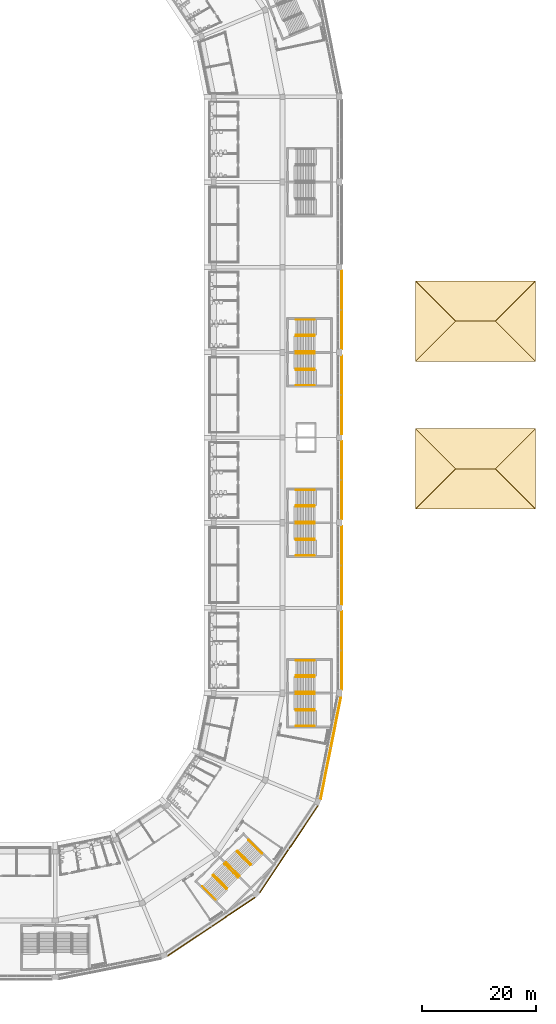
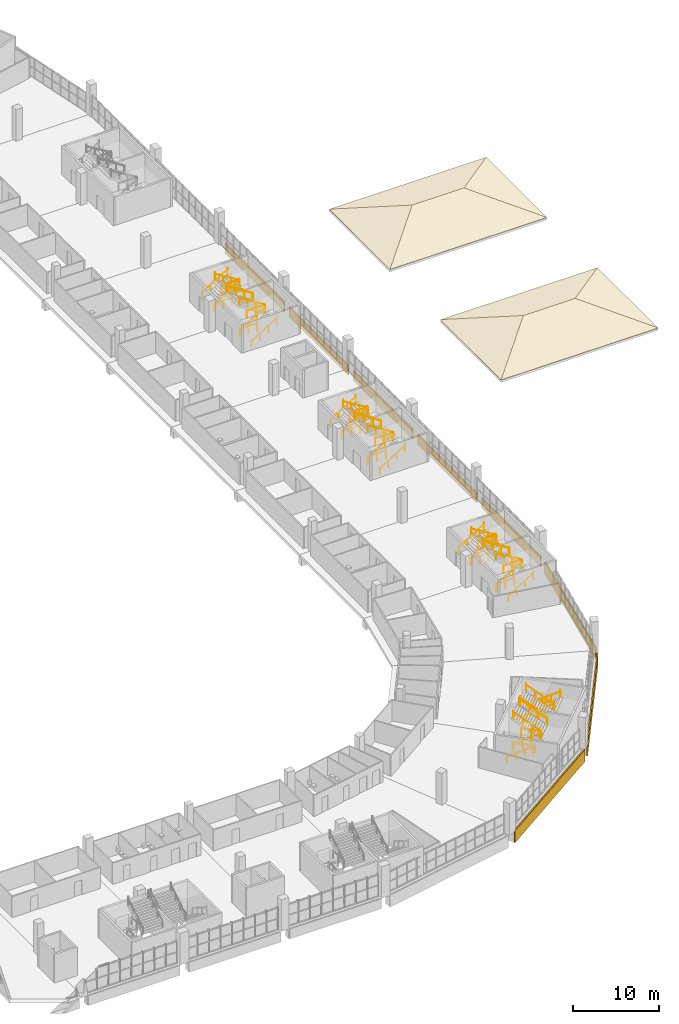
# One storey, part 189 of 199: 48 railings, 16 coverings.
"""IFC4 building model written with IfcOpenShell, lengths in metres."""

from ifc_helpers import new_model, si_unit, direction, frame, origin, origin_2d, place, context, subcontext, project, spatial, polyline, circle, outline, extrude, material, layer, layer_set, type_object, element, save


model = new_model("IFC4")

# Units and contexts
model_context = context("Model", 3, precision=1e-05, world=origin(), true_north=direction((0.0, 1.0)))
body_context = subcontext(model_context, "Body", "Model", "MODEL_VIEW")
ifc_project = project(units=[si_unit("LENGTHUNIT", "METRE"), si_unit("AREAUNIT", "SQUARE_METRE"), si_unit("VOLUMEUNIT", "CUBIC_METRE"), si_unit("PLANEANGLEUNIT", "RADIAN"), si_unit("MASSUNIT", "GRAM", prefix="KILO")], contexts=[model_context])

# Site, building, storey
site_placement = place(None, origin())
site = spatial("IfcSite", under=ifc_project, at=site_placement, CompositionType="ELEMENT")
building_placement = place(site_placement, origin())
building = spatial("IfcBuilding", under=site, at=building_placement, Name="Ogive Plaza Stadium", CompositionType="ELEMENT")
storey_placement = place(building_placement, frame((0.0, 0.0, 4.5)))
storey = spatial("IfcBuildingStorey", under=building, at=storey_placement, Name="L01", CompositionType="ELEMENT", Elevation=4.5)

# Railings
ifc_material_1 = material(Name="Steel ASTM A572 Grade 50", Category="steel")
railing_type_1 = type_object("IfcRailingType", Name="Guard 1100", PredefinedType="GUARDRAIL", material=ifc_material_1)
for number, where, name in (
    (1, (76.35009765625, 4.52490234375, 0.0), "Stair well guard ST04A L01"),
    (2, (77.31005859375, 4.52490234375, 2.25), "Stair well guard ST04A L01"),
    (3, (76.35009765625, 10.47509765625, 0.0), "Stair well guard ST04B L01"),
    (4, (77.31005859375, 10.47509765625, 2.25), "Stair well guard ST04B L01"),
    (5, (76.35009765625, -25.47509765625, 0.0), "Stair well guard ST06A L01"),
    (6, (77.31005859375, -25.47509765625, 2.25), "Stair well guard ST06A L01"),
    (7, (76.35009765625, -19.52490234375, 0.0), "Stair well guard ST06B L01"),
    (8, (77.31005859375, -19.52490234375, 2.25), "Stair well guard ST06B L01"),
    (9, (76.35009765625, -55.47509765625, 0.0), "Stair well guard ST08A L01"),
    (10, (77.31005859375, -55.47509765625, 2.25), "Stair well guard ST08A L01"),
    (11, (76.35009765625, -49.52490234375, 0.0), "Stair well guard ST08B L01"),
    (12, (77.31005859375, -49.52490234375, 2.25), "Stair well guard ST08B L01"),
):
    element("IfcRailing", number, at=place(storey_placement, frame(where)), inside=storey, type_object=railing_type_1, Name=name, PredefinedType="GUARDRAIL", context=body_context, shape_type="SweptSolid", body=[
        extrude(circle(Radius=0.02392578125, at=origin_2d()), frame((0.0, 0.0, 1.076171875), z_axis=(1.0, 0.0, 0.0), x_axis=(0.0, 1.0, 0.0)), (0.0, 0.0, 1.0), 2.39990234375),
        extrude(circle(Radius=0.02099609375, at=origin_2d()), origin(), (0.0, 0.0, 1.0), 1.052001953125),
        extrude(circle(Radius=0.02099609375, at=origin_2d()), frame((1.199951171875, 0.0, 0.0)), (0.0, 0.0, 1.0), 1.052001953125),
        extrude(circle(Radius=0.02099609375, at=origin_2d()), frame((2.39990234375, 0.0, 0.0)), (0.0, 0.0, 1.0), 1.052001953125),
    ])
for number, where, name in (
    (13, (61.84228515625, -84.549560546875, 0.0), "Stair well guard ST10A L01"),
    (14, (62.521240234375, -85.228515625, 2.25), "Stair well guard ST10A L01"),
    (15, (66.049560546875, -80.34228515625, 0.0), "Stair well guard ST10B L01"),
    (16, (66.728515625, -81.021240234375, 2.25), "Stair well guard ST10B L01"),
):
    element("IfcRailing", number, at=place(storey_placement, frame(where)), inside=storey, type_object=railing_type_1, Name=name, PredefinedType="GUARDRAIL", context=body_context, shape_type="SweptSolid", body=[
        extrude(circle(Radius=0.02392578125, at=origin_2d()), frame((0.0, 0.0, 1.076171875), z_axis=(0.707106781187, -0.707106781187, 0.0), x_axis=(0.707106781187, 0.707106781187, 0.0)), (0.0, 0.0, 1.0), 2.39990234375),
        extrude(circle(Radius=0.02099609375, at=origin_2d()), origin(), (0.0, 0.0, 1.0), 1.052001953125),
        extrude(circle(Radius=0.02099609375, at=origin_2d()), frame((0.8486328125, -0.8486328125, 0.0)), (0.0, 0.0, 1.0), 1.052001953125),
        extrude(circle(Radius=0.02099609375, at=origin_2d()), frame((1.697021484375, -1.697021484375, 0.0)), (0.0, 0.0, 1.0), 1.052001953125),
    ])
ifc_material_2 = material(Name="Steel ASTM A572 Grade 50", Category="steel")
railing_type_2 = type_object("IfcRailingType", Name="Handrail 900", PredefinedType="HANDRAIL", material=ifc_material_2)
for number, where, name in (
    (17, (76.35009765625, 1.735107421875, 0.173095703125), "Handrail ST04A L01"),
    (18, (76.35009765625, 4.4150390625, 0.173095703125), "Handrail ST04A L01"),
):
    element("IfcRailing", number, at=place(storey_placement, frame(where)), inside=storey, type_object=railing_type_2, Name=name, PredefinedType="HANDRAIL", context=body_context, shape_type="SweptSolid", body=[
        extrude(circle(Radius=0.02392578125, at=origin_2d()), frame((0.0, 0.0, 0.8759765625), z_axis=(0.850606129759, 0.0, 0.525803396734), x_axis=(0.0, 1.0, 0.0)), (0.0, 0.0, 1.0), 3.949951171875),
        extrude(circle(Radius=0.02099609375, at=origin_2d()), origin(), (0.0, 0.0, 1.0), 0.851806640625),
        extrude(circle(Radius=0.02099609375, at=origin_2d()), frame((1.119873046875, 0.0, 0.6923828125)), (0.0, 0.0, 1.0), 0.851806640625),
        extrude(circle(Radius=0.02099609375, at=origin_2d()), frame((2.239990234375, 0.0, 1.384521484375)), (0.0, 0.0, 1.0), 0.851806640625),
        extrude(circle(Radius=0.02099609375, at=origin_2d()), frame((3.35986328125, 0.0, 2.076904296875)), (0.0, 0.0, 1.0), 1.10009765625),
    ])
for number, where, name in (
    (19, (79.7099609375, 4.635009765625, 2.423095703125), "Handrail ST04A L01"),
    (20, (79.7099609375, 7.31494140625, 2.423095703125), "Handrail ST04A L01"),
):
    element("IfcRailing", number, at=place(storey_placement, frame(where)), inside=storey, type_object=railing_type_2, Name=name, PredefinedType="HANDRAIL", context=body_context, shape_type="SweptSolid", body=[
        extrude(circle(Radius=0.02392578125, at=origin_2d()), frame((0.0, 0.0, 0.8759765625), z_axis=(-0.850606129759, 0.0, 0.525803396734), x_axis=(0.0, -1.0, 0.0)), (0.0, 0.0, 1.0), 3.949951171875),
        extrude(circle(Radius=0.02099609375, at=origin_2d()), origin(), (0.0, 0.0, 1.0), 0.851806640625),
        extrude(circle(Radius=0.02099609375, at=origin_2d()), frame((-1.119873046875, 0.0, 0.6923828125)), (0.0, 0.0, 1.0), 0.851806640625),
        extrude(circle(Radius=0.02099609375, at=origin_2d()), frame((-2.239990234375, 0.0, 1.384521484375)), (0.0, 0.0, 1.0), 0.851806640625),
        extrude(circle(Radius=0.02099609375, at=origin_2d()), frame((-3.35986328125, 0.0, 2.076904296875)), (0.0, 0.0, 1.0), 1.10009765625),
    ])
for number, where, name in (
    (21, (76.35009765625, 10.5849609375, 0.173095703125), "Handrail ST04B L01"),
    (22, (76.35009765625, 13.264892578125, 0.173095703125), "Handrail ST04B L01"),
):
    element("IfcRailing", number, at=place(storey_placement, frame(where)), inside=storey, type_object=railing_type_2, Name=name, PredefinedType="HANDRAIL", context=body_context, shape_type="SweptSolid", body=[
        extrude(circle(Radius=0.02392578125, at=origin_2d()), frame((0.0, 0.0, 0.8759765625), z_axis=(0.850606129759, 0.0, 0.525803396734), x_axis=(0.0, 1.0, 0.0)), (0.0, 0.0, 1.0), 3.949951171875),
        extrude(circle(Radius=0.02099609375, at=origin_2d()), origin(), (0.0, 0.0, 1.0), 0.851806640625),
        extrude(circle(Radius=0.02099609375, at=origin_2d()), frame((1.119873046875, 0.0, 0.6923828125)), (0.0, 0.0, 1.0), 0.851806640625),
        extrude(circle(Radius=0.02099609375, at=origin_2d()), frame((2.239990234375, 0.0, 1.384521484375)), (0.0, 0.0, 1.0), 0.851806640625),
        extrude(circle(Radius=0.02099609375, at=origin_2d()), frame((3.35986328125, 0.0, 2.076904296875)), (0.0, 0.0, 1.0), 1.10009765625),
    ])
for number, where, name in (
    (23, (79.7099609375, 7.68505859375, 2.423095703125), "Handrail ST04B L01"),
    (24, (79.7099609375, 10.364990234375, 2.423095703125), "Handrail ST04B L01"),
):
    element("IfcRailing", number, at=place(storey_placement, frame(where)), inside=storey, type_object=railing_type_2, Name=name, PredefinedType="HANDRAIL", context=body_context, shape_type="SweptSolid", body=[
        extrude(circle(Radius=0.02392578125, at=origin_2d()), frame((0.0, 0.0, 0.8759765625), z_axis=(-0.850606129759, 0.0, 0.525803396734), x_axis=(0.0, -1.0, 0.0)), (0.0, 0.0, 1.0), 3.949951171875),
        extrude(circle(Radius=0.02099609375, at=origin_2d()), origin(), (0.0, 0.0, 1.0), 0.851806640625),
        extrude(circle(Radius=0.02099609375, at=origin_2d()), frame((-1.119873046875, 0.0, 0.6923828125)), (0.0, 0.0, 1.0), 0.851806640625),
        extrude(circle(Radius=0.02099609375, at=origin_2d()), frame((-2.239990234375, 0.0, 1.384521484375)), (0.0, 0.0, 1.0), 0.851806640625),
        extrude(circle(Radius=0.02099609375, at=origin_2d()), frame((-3.35986328125, 0.0, 2.076904296875)), (0.0, 0.0, 1.0), 1.10009765625),
    ])
for number, where, name in (
    (25, (76.35009765625, -28.264892578125, 0.173095703125), "Handrail ST06A L01"),
    (26, (76.35009765625, -25.5849609375, 0.173095703125), "Handrail ST06A L01"),
):
    element("IfcRailing", number, at=place(storey_placement, frame(where)), inside=storey, type_object=railing_type_2, Name=name, PredefinedType="HANDRAIL", context=body_context, shape_type="SweptSolid", body=[
        extrude(circle(Radius=0.02392578125, at=origin_2d()), frame((0.0, 0.0, 0.8759765625), z_axis=(0.850606129759, 0.0, 0.525803396734), x_axis=(0.0, 1.0, 0.0)), (0.0, 0.0, 1.0), 3.949951171875),
        extrude(circle(Radius=0.02099609375, at=origin_2d()), origin(), (0.0, 0.0, 1.0), 0.851806640625),
        extrude(circle(Radius=0.02099609375, at=origin_2d()), frame((1.119873046875, 0.0, 0.6923828125)), (0.0, 0.0, 1.0), 0.851806640625),
        extrude(circle(Radius=0.02099609375, at=origin_2d()), frame((2.239990234375, 0.0, 1.384521484375)), (0.0, 0.0, 1.0), 0.851806640625),
        extrude(circle(Radius=0.02099609375, at=origin_2d()), frame((3.35986328125, 0.0, 2.076904296875)), (0.0, 0.0, 1.0), 1.10009765625),
    ])
for number, where, name in (
    (27, (79.7099609375, -25.364990234375, 2.423095703125), "Handrail ST06A L01"),
    (28, (79.7099609375, -22.68505859375, 2.423095703125), "Handrail ST06A L01"),
):
    element("IfcRailing", number, at=place(storey_placement, frame(where)), inside=storey, type_object=railing_type_2, Name=name, PredefinedType="HANDRAIL", context=body_context, shape_type="SweptSolid", body=[
        extrude(circle(Radius=0.02392578125, at=origin_2d()), frame((0.0, 0.0, 0.8759765625), z_axis=(-0.850606129759, 0.0, 0.525803396734), x_axis=(0.0, -1.0, 0.0)), (0.0, 0.0, 1.0), 3.949951171875),
        extrude(circle(Radius=0.02099609375, at=origin_2d()), origin(), (0.0, 0.0, 1.0), 0.851806640625),
        extrude(circle(Radius=0.02099609375, at=origin_2d()), frame((-1.119873046875, 0.0, 0.6923828125)), (0.0, 0.0, 1.0), 0.851806640625),
        extrude(circle(Radius=0.02099609375, at=origin_2d()), frame((-2.239990234375, 0.0, 1.384521484375)), (0.0, 0.0, 1.0), 0.851806640625),
        extrude(circle(Radius=0.02099609375, at=origin_2d()), frame((-3.35986328125, 0.0, 2.076904296875)), (0.0, 0.0, 1.0), 1.10009765625),
    ])
for number, where, name in (
    (29, (76.35009765625, -19.4150390625, 0.173095703125), "Handrail ST06B L01"),
    (30, (76.35009765625, -16.735107421875, 0.173095703125), "Handrail ST06B L01"),
):
    element("IfcRailing", number, at=place(storey_placement, frame(where)), inside=storey, type_object=railing_type_2, Name=name, PredefinedType="HANDRAIL", context=body_context, shape_type="SweptSolid", body=[
        extrude(circle(Radius=0.02392578125, at=origin_2d()), frame((0.0, 0.0, 0.8759765625), z_axis=(0.850606129759, 0.0, 0.525803396734), x_axis=(0.0, 1.0, 0.0)), (0.0, 0.0, 1.0), 3.949951171875),
        extrude(circle(Radius=0.02099609375, at=origin_2d()), origin(), (0.0, 0.0, 1.0), 0.851806640625),
        extrude(circle(Radius=0.02099609375, at=origin_2d()), frame((1.119873046875, 0.0, 0.6923828125)), (0.0, 0.0, 1.0), 0.851806640625),
        extrude(circle(Radius=0.02099609375, at=origin_2d()), frame((2.239990234375, 0.0, 1.384521484375)), (0.0, 0.0, 1.0), 0.851806640625),
        extrude(circle(Radius=0.02099609375, at=origin_2d()), frame((3.35986328125, 0.0, 2.076904296875)), (0.0, 0.0, 1.0), 1.10009765625),
    ])
for number, where, name in (
    (31, (79.7099609375, -22.31494140625, 2.423095703125), "Handrail ST06B L01"),
    (32, (79.7099609375, -19.635009765625, 2.423095703125), "Handrail ST06B L01"),
):
    element("IfcRailing", number, at=place(storey_placement, frame(where)), inside=storey, type_object=railing_type_2, Name=name, PredefinedType="HANDRAIL", context=body_context, shape_type="SweptSolid", body=[
        extrude(circle(Radius=0.02392578125, at=origin_2d()), frame((0.0, 0.0, 0.8759765625), z_axis=(-0.850606129759, 0.0, 0.525803396734), x_axis=(0.0, -1.0, 0.0)), (0.0, 0.0, 1.0), 3.949951171875),
        extrude(circle(Radius=0.02099609375, at=origin_2d()), origin(), (0.0, 0.0, 1.0), 0.851806640625),
        extrude(circle(Radius=0.02099609375, at=origin_2d()), frame((-1.119873046875, 0.0, 0.6923828125)), (0.0, 0.0, 1.0), 0.851806640625),
        extrude(circle(Radius=0.02099609375, at=origin_2d()), frame((-2.239990234375, 0.0, 1.384521484375)), (0.0, 0.0, 1.0), 0.851806640625),
        extrude(circle(Radius=0.02099609375, at=origin_2d()), frame((-3.35986328125, 0.0, 2.076904296875)), (0.0, 0.0, 1.0), 1.10009765625),
    ])
for number, where, name in (
    (33, (76.35009765625, -58.264892578125, 0.173095703125), "Handrail ST08A L01"),
    (34, (76.35009765625, -55.5849609375, 0.173095703125), "Handrail ST08A L01"),
):
    element("IfcRailing", number, at=place(storey_placement, frame(where)), inside=storey, type_object=railing_type_2, Name=name, PredefinedType="HANDRAIL", context=body_context, shape_type="SweptSolid", body=[
        extrude(circle(Radius=0.02392578125, at=origin_2d()), frame((0.0, 0.0, 0.8759765625), z_axis=(0.850606129759, 0.0, 0.525803396734), x_axis=(0.0, 1.0, 0.0)), (0.0, 0.0, 1.0), 3.949951171875),
        extrude(circle(Radius=0.02099609375, at=origin_2d()), origin(), (0.0, 0.0, 1.0), 0.851806640625),
        extrude(circle(Radius=0.02099609375, at=origin_2d()), frame((1.119873046875, 0.0, 0.6923828125)), (0.0, 0.0, 1.0), 0.851806640625),
        extrude(circle(Radius=0.02099609375, at=origin_2d()), frame((2.239990234375, 0.0, 1.384521484375)), (0.0, 0.0, 1.0), 0.851806640625),
        extrude(circle(Radius=0.02099609375, at=origin_2d()), frame((3.35986328125, 0.0, 2.076904296875)), (0.0, 0.0, 1.0), 1.10009765625),
    ])
for number, where, name in (
    (35, (79.7099609375, -55.364990234375, 2.423095703125), "Handrail ST08A L01"),
    (36, (79.7099609375, -52.68505859375, 2.423095703125), "Handrail ST08A L01"),
):
    element("IfcRailing", number, at=place(storey_placement, frame(where)), inside=storey, type_object=railing_type_2, Name=name, PredefinedType="HANDRAIL", context=body_context, shape_type="SweptSolid", body=[
        extrude(circle(Radius=0.02392578125, at=origin_2d()), frame((0.0, 0.0, 0.8759765625), z_axis=(-0.850606129759, 0.0, 0.525803396734), x_axis=(0.0, -1.0, 0.0)), (0.0, 0.0, 1.0), 3.949951171875),
        extrude(circle(Radius=0.02099609375, at=origin_2d()), origin(), (0.0, 0.0, 1.0), 0.851806640625),
        extrude(circle(Radius=0.02099609375, at=origin_2d()), frame((-1.119873046875, 0.0, 0.6923828125)), (0.0, 0.0, 1.0), 0.851806640625),
        extrude(circle(Radius=0.02099609375, at=origin_2d()), frame((-2.239990234375, 0.0, 1.384521484375)), (0.0, 0.0, 1.0), 0.851806640625),
        extrude(circle(Radius=0.02099609375, at=origin_2d()), frame((-3.35986328125, 0.0, 2.076904296875)), (0.0, 0.0, 1.0), 1.10009765625),
    ])
for number, where, name in (
    (37, (76.35009765625, -49.4150390625, 0.173095703125), "Handrail ST08B L01"),
    (38, (76.35009765625, -46.735107421875, 0.173095703125), "Handrail ST08B L01"),
):
    element("IfcRailing", number, at=place(storey_placement, frame(where)), inside=storey, type_object=railing_type_2, Name=name, PredefinedType="HANDRAIL", context=body_context, shape_type="SweptSolid", body=[
        extrude(circle(Radius=0.02392578125, at=origin_2d()), frame((0.0, 0.0, 0.8759765625), z_axis=(0.850606129759, 0.0, 0.525803396734), x_axis=(0.0, 1.0, 0.0)), (0.0, 0.0, 1.0), 3.949951171875),
        extrude(circle(Radius=0.02099609375, at=origin_2d()), origin(), (0.0, 0.0, 1.0), 0.851806640625),
        extrude(circle(Radius=0.02099609375, at=origin_2d()), frame((1.119873046875, 0.0, 0.6923828125)), (0.0, 0.0, 1.0), 0.851806640625),
        extrude(circle(Radius=0.02099609375, at=origin_2d()), frame((2.239990234375, 0.0, 1.384521484375)), (0.0, 0.0, 1.0), 0.851806640625),
        extrude(circle(Radius=0.02099609375, at=origin_2d()), frame((3.35986328125, 0.0, 2.076904296875)), (0.0, 0.0, 1.0), 1.10009765625),
    ])
for number, where, name in (
    (39, (79.7099609375, -52.31494140625, 2.423095703125), "Handrail ST08B L01"),
    (40, (79.7099609375, -49.635009765625, 2.423095703125), "Handrail ST08B L01"),
):
    element("IfcRailing", number, at=place(storey_placement, frame(where)), inside=storey, type_object=railing_type_2, Name=name, PredefinedType="HANDRAIL", context=body_context, shape_type="SweptSolid", body=[
        extrude(circle(Radius=0.02392578125, at=origin_2d()), frame((0.0, 0.0, 0.8759765625), z_axis=(-0.850606129759, 0.0, 0.525803396734), x_axis=(0.0, -1.0, 0.0)), (0.0, 0.0, 1.0), 3.949951171875),
        extrude(circle(Radius=0.02099609375, at=origin_2d()), origin(), (0.0, 0.0, 1.0), 0.851806640625),
        extrude(circle(Radius=0.02099609375, at=origin_2d()), frame((-1.119873046875, 0.0, 0.6923828125)), (0.0, 0.0, 1.0), 0.851806640625),
        extrude(circle(Radius=0.02099609375, at=origin_2d()), frame((-2.239990234375, 0.0, 1.384521484375)), (0.0, 0.0, 1.0), 0.851806640625),
        extrude(circle(Radius=0.02099609375, at=origin_2d()), frame((-3.35986328125, 0.0, 2.076904296875)), (0.0, 0.0, 1.0), 1.10009765625),
    ])
railing_1_placement = place(storey_placement, frame((59.869384765625, -86.5224609375, 0.173095703125)))
element("IfcRailing", 41, at=railing_1_placement, inside=storey, type_object=railing_type_2, Name="Handrail ST10A L01", PredefinedType="HANDRAIL", context=body_context, shape_type="SweptSolid", body=[
    extrude(circle(Radius=0.02392578125, at=origin_2d()), frame((0.0, 0.0, 0.8759765625), z_axis=(0.601482971545, -0.601482971545, 0.525772260474), x_axis=(0.707106781187, 0.707106781187, 0.0)), (0.0, 0.0, 1.0), 3.9501953125),
    extrude(circle(Radius=0.02099609375, at=origin_2d()), origin(), (0.0, 0.0, 1.0), 0.851806640625),
    extrude(circle(Radius=0.02099609375, at=origin_2d()), frame((0.7919921875, -0.7919921875, 0.6923828125)), (0.0, 0.0, 1.0), 0.851806640625),
    extrude(circle(Radius=0.02099609375, at=origin_2d()), frame((1.583984375, -1.583984375, 1.384521484375)), (0.0, 0.0, 1.0), 0.851806640625),
    extrude(circle(Radius=0.02099609375, at=origin_2d()), frame((2.3759765625, -2.3759765625, 2.076904296875)), (0.0, 0.0, 1.0), 1.10009765625),
])
railing_2_placement = place(storey_placement, frame((61.7646484375, -84.62744140625, 0.173095703125)))
element("IfcRailing", 42, at=railing_2_placement, inside=storey, type_object=railing_type_2, Name="Handrail ST10A L01", PredefinedType="HANDRAIL", context=body_context, shape_type="SweptSolid", body=[
    extrude(circle(Radius=0.02392578125, at=origin_2d()), frame((0.0, 0.0, 0.8759765625), z_axis=(0.601465884576, -0.601465884576, 0.525811353416), x_axis=(0.707106781187, 0.707106781187, 0.0)), (0.0, 0.0, 1.0), 3.949951171875),
    extrude(circle(Radius=0.02099609375, at=origin_2d()), origin(), (0.0, 0.0, 1.0), 0.851806640625),
    extrude(circle(Radius=0.02099609375, at=origin_2d()), frame((0.7919921875, -0.7919921875, 0.6923828125)), (0.0, 0.0, 1.0), 0.851806640625),
    extrude(circle(Radius=0.02099609375, at=origin_2d()), frame((1.583740234375, -1.583740234375, 1.384521484375)), (0.0, 0.0, 1.0), 0.851806640625),
    extrude(circle(Radius=0.02099609375, at=origin_2d()), frame((2.375732421875, -2.375732421875, 2.076904296875)), (0.0, 0.0, 1.0), 1.10009765625),
])
for number, where, name in (
    (43, (64.2958984375, -86.84765625, 2.423095703125), "Handrail ST10A L01"),
    (44, (66.19091796875, -84.95263671875, 2.423095703125), "Handrail ST10A L01"),
):
    element("IfcRailing", number, at=place(storey_placement, frame(where)), inside=storey, type_object=railing_type_2, Name=name, PredefinedType="HANDRAIL", context=body_context, shape_type="SweptSolid", body=[
        extrude(circle(Radius=0.02392578125, at=origin_2d()), frame((0.0, 0.0, 0.8759765625), z_axis=(-0.601465884576, 0.601465884576, 0.525811353416), x_axis=(-0.707106781187, -0.707106781187, 0.0)), (0.0, 0.0, 1.0), 3.949951171875),
        extrude(circle(Radius=0.02099609375, at=origin_2d()), origin(), (0.0, 0.0, 1.0), 0.851806640625),
        extrude(circle(Radius=0.02099609375, at=origin_2d()), frame((-0.7919921875, 0.7919921875, 0.6923828125)), (0.0, 0.0, 1.0), 0.851806640625),
        extrude(circle(Radius=0.02099609375, at=origin_2d()), frame((-1.583740234375, 1.583740234375, 1.384521484375)), (0.0, 0.0, 1.0), 0.851806640625),
        extrude(circle(Radius=0.02099609375, at=origin_2d()), frame((-2.375732421875, 2.375732421875, 2.076904296875)), (0.0, 0.0, 1.0), 1.10009765625),
    ])
railing_3_placement = place(storey_placement, frame((66.12744140625, -80.2646484375, 0.173095703125)))
element("IfcRailing", 45, at=railing_3_placement, inside=storey, type_object=railing_type_2, Name="Handrail ST10B L01", PredefinedType="HANDRAIL", context=body_context, shape_type="SweptSolid", body=[
    extrude(circle(Radius=0.02392578125, at=origin_2d()), frame((0.0, 0.0, 0.8759765625), z_axis=(0.601465884576, -0.601465884576, 0.525811353416), x_axis=(0.707106781187, 0.707106781187, 0.0)), (0.0, 0.0, 1.0), 3.949951171875),
    extrude(circle(Radius=0.02099609375, at=origin_2d()), origin(), (0.0, 0.0, 1.0), 0.851806640625),
    extrude(circle(Radius=0.02099609375, at=origin_2d()), frame((0.7919921875, -0.7919921875, 0.6923828125)), (0.0, 0.0, 1.0), 0.851806640625),
    extrude(circle(Radius=0.02099609375, at=origin_2d()), frame((1.583740234375, -1.583740234375, 1.384521484375)), (0.0, 0.0, 1.0), 0.851806640625),
    extrude(circle(Radius=0.02099609375, at=origin_2d()), frame((2.375732421875, -2.375732421875, 2.076904296875)), (0.0, 0.0, 1.0), 1.10009765625),
])
railing_4_placement = place(storey_placement, frame((68.0224609375, -78.369384765625, 0.173095703125)))
element("IfcRailing", 46, at=railing_4_placement, inside=storey, type_object=railing_type_2, Name="Handrail ST10B L01", PredefinedType="HANDRAIL", context=body_context, shape_type="SweptSolid", body=[
    extrude(circle(Radius=0.02392578125, at=origin_2d()), frame((0.0, 0.0, 0.8759765625), z_axis=(0.601482971545, -0.601482971545, 0.525772260474), x_axis=(0.707106781187, 0.707106781187, 0.0)), (0.0, 0.0, 1.0), 3.9501953125),
    extrude(circle(Radius=0.02099609375, at=origin_2d()), origin(), (0.0, 0.0, 1.0), 0.851806640625),
    extrude(circle(Radius=0.02099609375, at=origin_2d()), frame((0.7919921875, -0.7919921875, 0.6923828125)), (0.0, 0.0, 1.0), 0.851806640625),
    extrude(circle(Radius=0.02099609375, at=origin_2d()), frame((1.583984375, -1.583984375, 1.384521484375)), (0.0, 0.0, 1.0), 0.851806640625),
    extrude(circle(Radius=0.02099609375, at=origin_2d()), frame((2.3759765625, -2.3759765625, 2.076904296875)), (0.0, 0.0, 1.0), 1.10009765625),
])
for number, where, name in (
    (47, (66.45263671875, -84.69091796875, 2.423095703125), "Handrail ST10B L01"),
    (48, (68.34765625, -82.7958984375, 2.423095703125), "Handrail ST10B L01"),
):
    element("IfcRailing", number, at=place(storey_placement, frame(where)), inside=storey, type_object=railing_type_2, Name=name, PredefinedType="HANDRAIL", context=body_context, shape_type="SweptSolid", body=[
        extrude(circle(Radius=0.02392578125, at=origin_2d()), frame((0.0, 0.0, 0.8759765625), z_axis=(-0.601465884576, 0.601465884576, 0.525811353416), x_axis=(-0.707106781187, -0.707106781187, 0.0)), (0.0, 0.0, 1.0), 3.949951171875),
        extrude(circle(Radius=0.02099609375, at=origin_2d()), origin(), (0.0, 0.0, 1.0), 0.851806640625),
        extrude(circle(Radius=0.02099609375, at=origin_2d()), frame((-0.7919921875, 0.7919921875, 0.6923828125)), (0.0, 0.0, 1.0), 0.851806640625),
        extrude(circle(Radius=0.02099609375, at=origin_2d()), frame((-1.583740234375, 1.583740234375, 1.384521484375)), (0.0, 0.0, 1.0), 0.851806640625),
        extrude(circle(Radius=0.02099609375, at=origin_2d()), frame((-2.375732421875, 2.375732421875, 2.076904296875)), (0.0, 0.0, 1.0), 1.10009765625),
    ])

# Coverings
ifc_material_3 = material(Name="Natural slate on battens", Category="masonry")
ifc_layer_1 = layer(ifc_material_3, 0.06005859375)
ifc_layer_set_1 = layer_set([ifc_layer_1], Name="Headhouse roof slate 60")
covering_type_1 = type_object("IfcCoveringType", Name="Headhouse roof slate 60", PredefinedType="ROOFING", material=ifc_layer_set_1)
covering_1_placement = place(storey_placement, frame((97.39990234375, -20.10009765625, 1.35693359375), z_axis=(0.0, -0.32021215186, 0.947345859653), x_axis=(1.0, 0.0, 0.0)))
element("IfcCovering", 49, at=covering_1_placement, inside=storey, type_object=covering_type_1, Name="Headhouse roof facet hh1 1", PredefinedType="ROOFING", context=body_context, shape_type="SweptSolid", body=[
    extrude(outline(polyline([(0.0, 0.0), (21.2001953125, 0.0), (14.10009765625, 7.494726011524603), (7.10009765625, 7.494726011524603), (0.0, 0.0)])), origin(), (0.0, 0.0, -1.0), 0.06005859375),
])
covering_2_placement = place(storey_placement, frame((118.60009765625, -20.10009765625, 1.35693359375), z_axis=(0.32021215186, 0.0, 0.947345859653), x_axis=(0.0, 1.0, 0.0)))
element("IfcCovering", 50, at=covering_2_placement, inside=storey, type_object=covering_type_1, Name="Headhouse roof facet hh1 2", PredefinedType="ROOFING", context=body_context, shape_type="SweptSolid", body=[
    extrude(outline(polyline([(0.0, 0.0), (14.2001953125, 0.0), (7.10009765625, 7.494726011524603), (0.0, 0.0)])), origin(), (0.0, 0.0, -1.0), 0.06005859375),
])
covering_3_placement = place(storey_placement, frame((118.60009765625, -5.89990234375, 1.35693359375), z_axis=(0.0, 0.32021215186, 0.947345859653), x_axis=(-1.0, 0.0, 0.0)))
element("IfcCovering", 51, at=covering_3_placement, inside=storey, type_object=covering_type_1, Name="Headhouse roof facet hh1 3", PredefinedType="ROOFING", context=body_context, shape_type="SweptSolid", body=[
    extrude(outline(polyline([(0.0, 0.0), (21.2001953125, 0.0), (14.10009765625, 7.494726011524603), (7.10009765625, 7.494726011524603), (0.0, 0.0)])), origin(), (0.0, 0.0, -1.0), 0.06005859375),
])
covering_4_placement = place(storey_placement, frame((97.39990234375, -5.89990234375, 1.35693359375), z_axis=(-0.32021215186, 0.0, 0.947345859653), x_axis=(0.0, -1.0, 0.0)))
element("IfcCovering", 52, at=covering_4_placement, inside=storey, type_object=covering_type_1, Name="Headhouse roof facet hh1 4", PredefinedType="ROOFING", context=body_context, shape_type="SweptSolid", body=[
    extrude(outline(polyline([(0.0, 0.0), (14.2001953125, 0.0), (7.10009765625, 7.494726011524603), (0.0, 0.0)])), origin(), (0.0, 0.0, -1.0), 0.06005859375),
])
covering_5_placement = place(storey_placement, frame((97.39990234375, 5.89990234375, 1.35693359375), z_axis=(0.0, -0.32021215186, 0.947345859653), x_axis=(1.0, 0.0, 0.0)))
element("IfcCovering", 53, at=covering_5_placement, inside=storey, type_object=covering_type_1, Name="Headhouse roof facet hh2 1", PredefinedType="ROOFING", context=body_context, shape_type="SweptSolid", body=[
    extrude(outline(polyline([(0.0, 0.0), (21.2001953125, 0.0), (14.10009765625, 7.494726011524603), (7.10009765625, 7.494726011524603), (0.0, 0.0)])), origin(), (0.0, 0.0, -1.0), 0.06005859375),
])
covering_6_placement = place(storey_placement, frame((118.60009765625, 5.89990234375, 1.35693359375), z_axis=(0.32021215186, 0.0, 0.947345859653), x_axis=(0.0, 1.0, 0.0)))
element("IfcCovering", 54, at=covering_6_placement, inside=storey, type_object=covering_type_1, Name="Headhouse roof facet hh2 2", PredefinedType="ROOFING", context=body_context, shape_type="SweptSolid", body=[
    extrude(outline(polyline([(0.0, 0.0), (14.2001953125, 0.0), (7.10009765625, 7.494726011524603), (0.0, 0.0)])), origin(), (0.0, 0.0, -1.0), 0.06005859375),
])
covering_7_placement = place(storey_placement, frame((118.60009765625, 20.10009765625, 1.35693359375), z_axis=(0.0, 0.32021215186, 0.947345859653), x_axis=(-1.0, 0.0, 0.0)))
element("IfcCovering", 55, at=covering_7_placement, inside=storey, type_object=covering_type_1, Name="Headhouse roof facet hh2 3", PredefinedType="ROOFING", context=body_context, shape_type="SweptSolid", body=[
    extrude(outline(polyline([(0.0, 0.0), (21.2001953125, 0.0), (14.10009765625, 7.494726011524603), (7.10009765625, 7.494726011524603), (0.0, 0.0)])), origin(), (0.0, 0.0, -1.0), 0.06005859375),
])
covering_8_placement = place(storey_placement, frame((97.39990234375, 20.10009765625, 1.35693359375), z_axis=(-0.32021215186, 0.0, 0.947345859653), x_axis=(0.0, -1.0, 0.0)))
element("IfcCovering", 56, at=covering_8_placement, inside=storey, type_object=covering_type_1, Name="Headhouse roof facet hh2 4", PredefinedType="ROOFING", context=body_context, shape_type="SweptSolid", body=[
    extrude(outline(polyline([(0.0, 0.0), (14.2001953125, 0.0), (7.10009765625, 7.494726011524603), (0.0, 0.0)])), origin(), (0.0, 0.0, -1.0), 0.06005859375),
])
ifc_material_4 = material(Name="Cast stone (reconstituted limestone)", Category="masonry")
ifc_layer_2 = layer(ifc_material_4, 0.159912109375)
ifc_layer_set_2 = layer_set([ifc_layer_2], Name="Precast spandrel cladding 160")
covering_type_2 = type_object("IfcCoveringType", Name="Precast spandrel cladding 160", PredefinedType="CLADDING", material=ifc_layer_set_2)
covering_9_placement = place(storey_placement, frame((0.0, 0.0, -1.409912109375)))
element("IfcCovering", 57, at=covering_9_placement, inside=storey, type_object=covering_type_2, Name="SPANDREL CLADDING B03 L01", PredefinedType="CLADDING", context=body_context, shape_type="SweptSolid", body=[
    extrude(outline(polyline([(84.35009765625, 21.89990234375), (84.35009765625, 8.10009765625), (84.510009765625, 8.10009765625), (84.510009765625, 21.89990234375), (84.35009765625, 21.89990234375)])), origin(), (0.0, 0.0, 1.0), 1.409912109375),
])
covering_10_placement = place(storey_placement, frame((0.0, 0.0, -1.409912109375)))
element("IfcCovering", 58, at=covering_10_placement, inside=storey, type_object=covering_type_2, Name="SPANDREL CLADDING B04 L01", PredefinedType="CLADDING", context=body_context, shape_type="SweptSolid", body=[
    extrude(outline(polyline([(84.35009765625, 6.89990234375), (84.35009765625, -6.89990234375), (84.510009765625, -6.89990234375), (84.510009765625, 6.89990234375), (84.35009765625, 6.89990234375)])), origin(), (0.0, 0.0, 1.0), 1.409912109375),
])
covering_11_placement = place(storey_placement, frame((0.0, 0.0, -1.409912109375)))
element("IfcCovering", 59, at=covering_11_placement, inside=storey, type_object=covering_type_2, Name="SPANDREL CLADDING B05 L01", PredefinedType="CLADDING", context=body_context, shape_type="SweptSolid", body=[
    extrude(outline(polyline([(84.35009765625, -8.10009765625), (84.35009765625, -21.89990234375), (84.510009765625, -21.89990234375), (84.510009765625, -8.10009765625), (84.35009765625, -8.10009765625)])), origin(), (0.0, 0.0, 1.0), 1.409912109375),
])
covering_12_placement = place(storey_placement, frame((0.0, 0.0, -1.409912109375)))
element("IfcCovering", 60, at=covering_12_placement, inside=storey, type_object=covering_type_2, Name="SPANDREL CLADDING B06 L01", PredefinedType="CLADDING", context=body_context, shape_type="SweptSolid", body=[
    extrude(outline(polyline([(84.35009765625, -23.10009765625), (84.35009765625, -36.89990234375), (84.510009765625, -36.89990234375), (84.510009765625, -23.10009765625), (84.35009765625, -23.10009765625)])), origin(), (0.0, 0.0, 1.0), 1.409912109375),
])
covering_13_placement = place(storey_placement, frame((0.0, 0.0, -1.409912109375)))
element("IfcCovering", 61, at=covering_13_placement, inside=storey, type_object=covering_type_2, Name="SPANDREL CLADDING B07 L01", PredefinedType="CLADDING", context=body_context, shape_type="SweptSolid", body=[
    extrude(outline(polyline([(84.35009765625, -38.10009765625), (84.35009765625, -51.89990234375), (84.510009765625, -51.89990234375), (84.510009765625, -38.10009765625), (84.35009765625, -38.10009765625)])), origin(), (0.0, 0.0, 1.0), 1.409912109375),
])
covering_14_placement = place(storey_placement, frame((0.0, 0.0, -1.7099609375)))
element("IfcCovering", 62, at=covering_14_placement, inside=storey, type_object=covering_type_2, Name="SPANDREL CLADDING B08 L01", PredefinedType="CLADDING", context=body_context, shape_type="SweptSolid", body=[
    extrude(outline(polyline([(84.237548828125, -53.10009765625), (80.64306640625, -71.170654296875), (80.800048828125, -71.201904296875), (84.39453125, -53.131103515625), (84.237548828125, -53.10009765625)])), origin(), (0.0, 0.0, 1.0), 1.7099609375),
])
covering_15_placement = place(storey_placement, frame((0.0, 0.0, -1.7099609375)))
element("IfcCovering", 63, at=covering_15_placement, inside=storey, type_object=covering_type_2, Name="SPANDREL CLADDING B09 L01", PredefinedType="CLADDING", context=body_context, shape_type="SweptSolid", body=[
    extrude(outline(polyline([(80.212158203125, -72.237060546875), (69.919189453125, -87.641357421875), (70.05224609375, -87.730224609375), (80.34521484375, -72.325927734375), (80.212158203125, -72.237060546875)])), origin(), (0.0, 0.0, 1.0), 1.7099609375),
])
covering_16_placement = place(storey_placement, frame((0.0, 0.0, -1.7099609375)))
element("IfcCovering", 64, at=covering_16_placement, inside=storey, type_object=covering_type_2, Name="SPANDREL CLADDING B10 L01", PredefinedType="CLADDING", context=body_context, shape_type="SweptSolid", body=[
    extrude(outline(polyline([(69.141357421875, -88.419189453125), (53.737060546875, -98.712158203125), (53.825927734375, -98.84521484375), (69.230224609375, -88.55224609375), (69.141357421875, -88.419189453125)])), origin(), (0.0, 0.0, 1.0), 1.7099609375),
])

save(model, "model.ifc")
